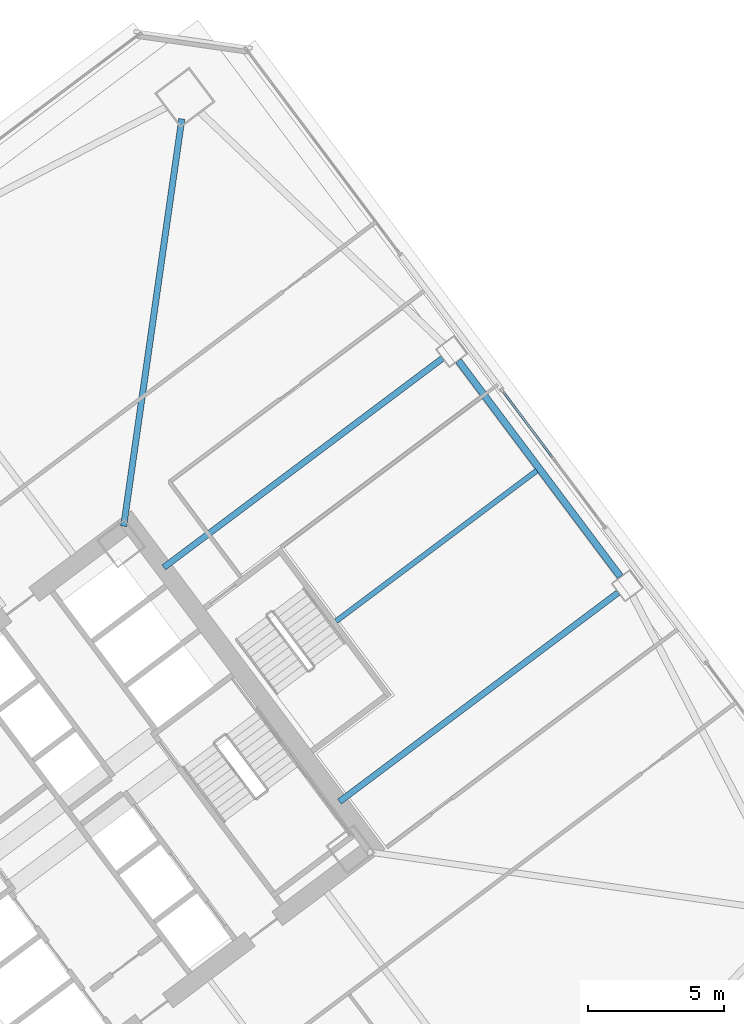
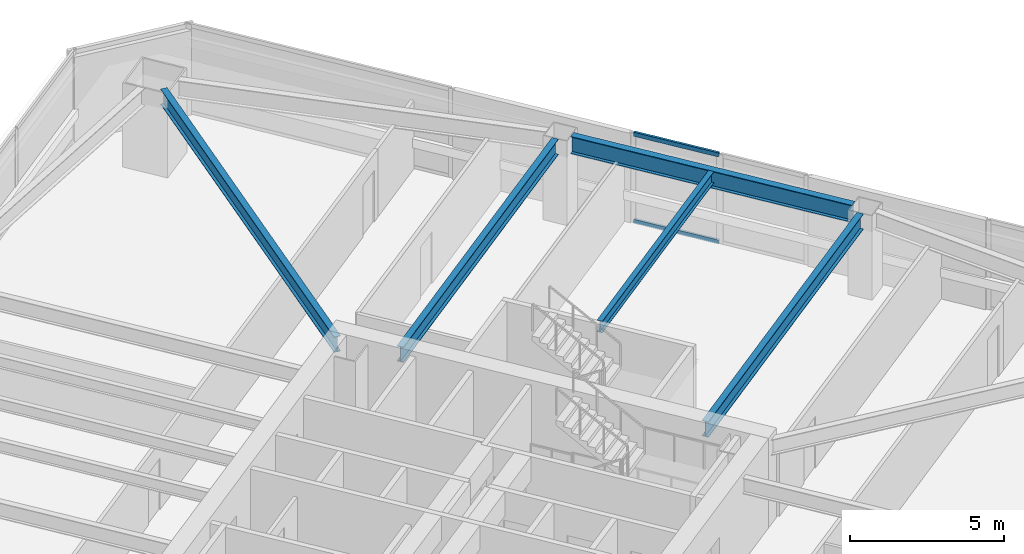
# One storey, part 28 of 45: 5 beams, 2 members, 1 element without a shape of its own.
"""IFC4 building model written with IfcOpenShell, lengths in metres."""

from ifc_helpers import new_model, si_unit, direction, frame, origin, origin_2d, place, context, subcontext, project, spatial, hollow_rectangle, i_section, extrude, material, material_profile, profile_set, type_object, element, aggregate, save


model = new_model("IFC4")

# Units and contexts
model_context = context("Model", 3, precision=1e-05, world=origin(), true_north=direction((0.0, 1.0)))
body_context = subcontext(model_context, "Body", "Model", "MODEL_VIEW")
ifc_project = project(units=[si_unit("LENGTHUNIT", "METRE"), si_unit("AREAUNIT", "SQUARE_METRE"), si_unit("VOLUMEUNIT", "CUBIC_METRE"), si_unit("PLANEANGLEUNIT", "RADIAN"), si_unit("MASSUNIT", "GRAM", prefix="KILO")], contexts=[model_context])

# Site, building, storey
site_placement = place(None, origin())
site = spatial("IfcSite", under=ifc_project, at=site_placement, CompositionType="ELEMENT")
building_placement = place(site_placement, origin())
building = spatial("IfcBuilding", under=site, at=building_placement, Name="Tashvorn Skyway Center", CompositionType="ELEMENT")
storey_placement = place(building_placement, frame((0.0, 0.0, 35.25)))
storey = spatial("IfcBuildingStorey", under=building, at=storey_placement, Name="L08", CompositionType="ELEMENT", Elevation=35.25)

# Beams
ifc_material_1 = material(Name="Steel ASTM A992 Grade 50", Category="steel")
ifc_material_profile_1 = material_profile(ifc_material_1, i_section(OverallWidth=0.22998046875, OverallDepth=0.616943359375, WebThickness=0.01318359375, FlangeThickness=0.022216796875, at=origin_2d()), Name="W24X94")
ifc_profile_set_1 = profile_set([ifc_material_profile_1], Name="Steel ASTM A992 Grade 50")
beam_type_1 = type_object("IfcBeamType", Name="BM-BEAM-W24X94", PredefinedType="BEAM", material=ifc_profile_set_1)
beam_1_placement = place(storey_placement, frame((117.6474609375, 57.532958984375, 3.04150390625), z_axis=(-0.141414599991, -0.989950458816, 0.0), x_axis=(0.989950458816, -0.141414599991, 0.0)))
element("IfcBeam", 1, at=beam_1_placement, inside=storey, type_object=beam_type_1, Name="Tower 2 L08 Primary Floor Girder MC-NE", PredefinedType="BEAM", context=body_context, shape_type="SweptSolid", body=[
    extrude(i_section(OverallWidth=0.22998046875, OverallDepth=0.616943359375, WebThickness=0.01318359375, FlangeThickness=0.022216796875, at=origin_2d()), origin(), (0.0, 0.0, 1.0), 15.177001953125),
])
beam_2_placement = place(storey_placement, frame((133.743896484375, 40.05810546875, 3.04150390625), z_axis=(-0.799986320265, -0.600018239213, 0.0), x_axis=(0.600018239213, -0.799986320265, 0.0)))
element("IfcBeam", 2, at=beam_2_placement, inside=storey, type_object=beam_type_1, Name="Tower 2 L08 Primary Floor Girder FC-E1", PredefinedType="BEAM", context=body_context, shape_type="SweptSolid", body=[
    extrude(i_section(OverallWidth=0.22998046875, OverallDepth=0.616943359375, WebThickness=0.01318359375, FlangeThickness=0.022216796875, at=origin_2d()), origin(), (0.0, 0.0, 1.0), 12.849853515625),
])
beam_3_placement = place(storey_placement, frame((127.263916015625, 48.697998046875, 3.04150390625), z_axis=(-0.800002279907, -0.599996960112, 0.0), x_axis=(0.599996960112, -0.800002279907, 0.0)))
element("IfcBeam", 3, at=beam_3_placement, inside=storey, type_object=beam_type_1, Name="Tower 2 L08 Primary Floor Girder FC-E2", PredefinedType="BEAM", context=body_context, shape_type="SweptSolid", body=[
    extrude(i_section(OverallWidth=0.22998046875, OverallDepth=0.616943359375, WebThickness=0.01318359375, FlangeThickness=0.022216796875, at=origin_2d()), origin(), (0.0, 0.0, 1.0), 12.85009765625),
])
ifc_material_profile_2 = material_profile(ifc_material_1, i_section(OverallWidth=0.19091796875, OverallDepth=0.4599609375, WebThickness=0.010009765625, FlangeThickness=0.01611328125, at=origin_2d()), Name="W18X55")
ifc_profile_set_2 = profile_set([ifc_material_profile_2], Name="Steel ASTM A992 Grade 50")
beam_type_2 = type_object("IfcBeamType", Name="BM-JOIST-W18X55", PredefinedType="JOIST", material=ifc_profile_set_2)
beam_4_placement = place(storey_placement, frame((123.3359375, 39.001953125, 3.1201171875), z_axis=(0.799990508532, 0.600012655082, 0.0), x_axis=(-0.600012655082, 0.799990508532, 0.0)))
element("IfcBeam", 4, at=beam_4_placement, inside=storey, type_object=beam_type_2, Name="Tower 2 L08 Secondary Composite Joist JE", PredefinedType="JOIST", context=body_context, shape_type="SweptSolid", body=[
    extrude(i_section(OverallWidth=0.19091796875, OverallDepth=0.4599609375, WebThickness=0.010009765625, FlangeThickness=0.01611328125, at=origin_2d()), origin(), (0.0, 0.0, 1.0), 9.260009765625),
])
ifc_material_profile_3 = material_profile(ifc_material_1, i_section(OverallWidth=0.256103515625, OverallDepth=0.693115234375, WebThickness=0.014404296875, FlangeThickness=0.023681640625, at=origin_2d()), Name="W27X114")
ifc_profile_set_3 = profile_set([ifc_material_profile_3], Name="Steel ASTM A992 Grade 50")
beam_type_3 = type_object("IfcBeamType", Name="BM-SPANDREL-W27X114", PredefinedType="SPANDREL", material=ifc_profile_set_3)
beam_5_placement = place(storey_placement, frame((133.827880859375, 40.64599609375, 3.00341796875), z_axis=(-0.599988234018, 0.800008824351, 0.0), x_axis=(-0.800008824351, -0.599988234018, 0.0)))
element("IfcBeam", 5, at=beam_5_placement, inside=storey, type_object=beam_type_3, Name="Tower 2 L08 Spandrel Beam 05", PredefinedType="SPANDREL", context=body_context, shape_type="SweptSolid", body=[
    extrude(i_section(OverallWidth=0.256103515625, OverallDepth=0.693115234375, WebThickness=0.014404296875, FlangeThickness=0.023681640625, at=origin_2d()), origin(), (0.0, 0.0, 1.0), 9.9599609375),
])

# Curtain wall, members
ifc_material_2 = material(Name="Thermally broken bronze-anodized aluminium 6063-T6", Category="aluminium")
curtain_wall_type = type_object("IfcCurtainWallType", Name="CW-CW-Z1", PredefinedType="NOTDEFINED", material=ifc_material_2)
curtain_wall_placement = place(storey_placement, origin())
curtain_wall = element("IfcCurtainWall", 6, at=curtain_wall_placement, inside=storey, type_object=curtain_wall_type, Name="Tower 2 L08 East Unitised Curtain Wall Glazing Group 2", PredefinedType="NOTDEFINED")
ifc_material_profile_4 = material_profile(ifc_material_2, hollow_rectangle(XDim=0.0849609375, YDim=0.1650390625, WallThickness=0.0048828125, at=origin_2d()), Name="ALU-TRAN-85x165")
ifc_profile_set_4 = profile_set([ifc_material_profile_4], Name="Thermally broken bronze-anodized aluminium 6063-T6")
member_type = type_object("IfcMemberType", Name="CWT-CW-Z1", PredefinedType="USERDEFINED", material=ifc_profile_set_4)
member_1_placement = place(storey_placement, frame((129.507080078125, 47.457275390625, 0.04248046875), z_axis=(0.600012938206, -0.799990296182, 0.0), x_axis=(0.799990296182, 0.600012938206, 0.0)))
member_1 = element("IfcMember", 7, at=member_1_placement, type_object=member_type, Name="CW-Z1 transom 1.1", ObjectType="TRANSOM", PredefinedType="USERDEFINED", context=body_context, shape_type="SweptSolid", body=[
    extrude(hollow_rectangle(XDim=0.0849609375, YDim=0.1650390625, WallThickness=0.0048828125, at=origin_2d()), origin(), (0.0, 0.0, 1.0), 3.01904296875),
])
member_2_placement = place(storey_placement, frame((129.507080078125, 47.457275390625, 3.507568359375), z_axis=(0.600012938206, -0.799990296182, 0.0), x_axis=(0.799990296182, 0.600012938206, 0.0)))
member_2 = element("IfcMember", 8, at=member_2_placement, type_object=member_type, Name="CW-Z1 transom 1.2", ObjectType="TRANSOM", PredefinedType="USERDEFINED", context=body_context, shape_type="SweptSolid", body=[
    extrude(hollow_rectangle(XDim=0.0849609375, YDim=0.1650390625, WallThickness=0.0048828125, at=origin_2d()), origin(), (0.0, 0.0, 1.0), 3.01904296875),
])
aggregate(curtain_wall, [member_1, member_2])

save(model, "model.ifc")
